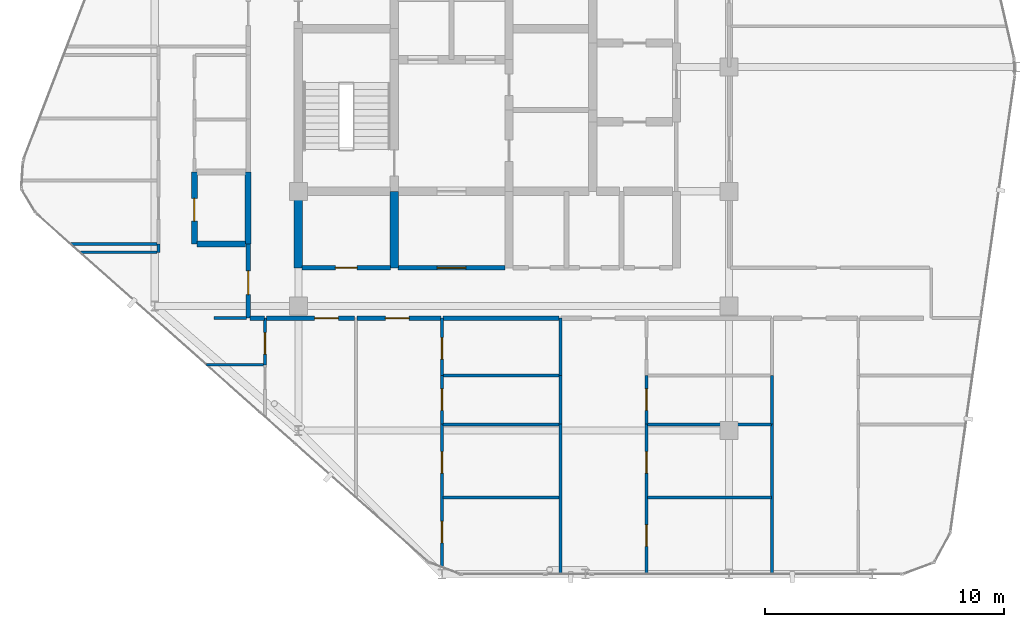
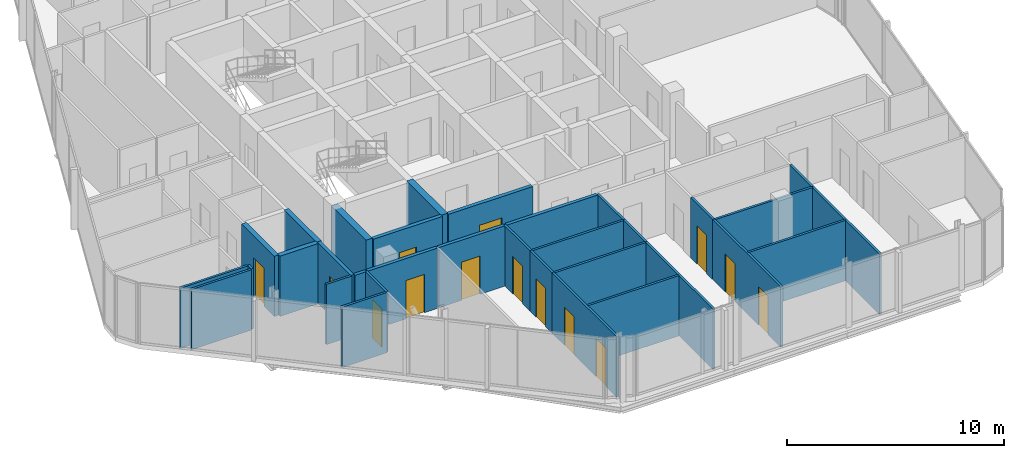
# One storey, part 22 of 28: 33 walls, 14 doors, 14 openings.
"""IFC4 building model written with IfcOpenShell, lengths in metres."""

from ifc_helpers import new_model, si_unit, direction, frame, frame_2d, origin, place, context, subcontext, project, spatial, rectangle, extrude, material, layer, layer_set, type_object, element, fill, save


model = new_model("IFC4")

# Units and contexts
model_context = context("Model", 3, precision=1e-05, world=origin(), true_north=direction((0.0, 1.0)))
body_context = subcontext(model_context, "Body", "Model", "MODEL_VIEW")
ifc_project = project(units=[si_unit("LENGTHUNIT", "METRE"), si_unit("AREAUNIT", "SQUARE_METRE"), si_unit("VOLUMEUNIT", "CUBIC_METRE"), si_unit("PLANEANGLEUNIT", "RADIAN"), si_unit("MASSUNIT", "GRAM", prefix="KILO")], contexts=[model_context])

# Site, building, storey
site_placement = place(None, origin())
site = spatial("IfcSite", under=ifc_project, at=site_placement, CompositionType="ELEMENT")
building_placement = place(site_placement, origin())
building = spatial("IfcBuilding", under=site, at=building_placement, Name="Keshet Zoharim Tower", CompositionType="ELEMENT")
storey_placement = place(building_placement, frame((0.0, 0.0, 258.39990234375)))
storey = spatial("IfcBuildingStorey", under=building, at=storey_placement, Name="L64", CompositionType="ELEMENT", Elevation=258.39990234375)

# Walls
ifc_material_1 = material(Name="Concrete C60/75", Category="concrete")
ifc_layer_1 = layer(ifc_material_1, 0.35009765625)
ifc_layer_set_1 = layer_set([ifc_layer_1], Name="Concrete C60/75")
wall_type_1 = type_object("IfcWallType", Name="WL-CORE-350", PredefinedType="SHEAR", material=ifc_layer_set_1)
for number, where, z_axis, x_axis, name in (
    (1, (15.0, 19.5, 0.0), (0.0, 0.0, 1.0), (0.0, 1.0, 0.0), "L64 Core Shear Wall 020"),
    (2, (19.0, 19.5, 0.0), (0.0, 0.0, 1.0), (0.0, 1.0, 0.0), "L64 Core Shear Wall 027"),
):
    element("IfcWall", number, at=place(storey_placement, frame(where, z_axis=z_axis, x_axis=x_axis)), inside=storey, type_object=wall_type_1, Name=name, PredefinedType="SHEAR", context=body_context, shape_type="SweptSolid", body=[
        extrude(rectangle(XDim=3.199951171875, YDim=0.35009765625, at=frame_2d((1.60009765625, 0.0))), origin(), (0.0, 0.0, 1.0), 3.39013671875),
    ])

# Wall, opening, door
ifc_material_2 = material(Name="Gypsum Plasterboard", Category="gypsum")
ifc_layer_2 = layer(ifc_material_2, 0.179931640625)
ifc_layer_set_2 = layer_set([ifc_layer_2], Name="Gypsum Plasterboard")
wall_type_2 = type_object("IfcWallType", Name="WL-CORR-180", PredefinedType="STANDARD", material=ifc_layer_set_2)
wall_1_placement = place(storey_placement, frame((12.89990234375, 17.39990234375, 0.0), z_axis=(0.0, 0.0, 1.0), x_axis=(0.0, 1.0, 0.0)))
wall_1 = element("IfcWall", 3, at=wall_1_placement, inside=storey, type_object=wall_type_2, Name="L64 Interior Wall 010", PredefinedType="STANDARD", context=body_context, shape_type="SweptSolid", body=[
    extrude(rectangle(XDim=3.10009765625, YDim=0.179931640625, at=frame_2d((1.550048828125, 0.0))), origin(), (0.0, 0.0, 1.0), 3.39013671875),
])
opening_1_placement = place(wall_1_placement, frame((0.97802734375, 0.0, 0.0)))
opening_1 = element("IfcOpeningElement", 4, at=opening_1_placement, cuts=wall_1, Name="Opening D-F310", PredefinedType="OPENING", context=body_context, shape_type="SweptSolid", body=[
    extrude(rectangle(XDim=1.0, YDim=2.14990234375, at=frame_2d((0.5, 1.074951171875))), frame((0.0, 0.10009765625, 0.0), z_axis=(0.0, -1.0, 0.0), x_axis=(1.0, 0.0, 0.0)), (0.0, 0.0, 1.0), 0.199951171875),
])
ifc_material_3 = material(Name="Hardwood Timber", Category="wood")
door_type_1 = type_object("IfcDoorType", Name="DR-FD30-100", OperationType="NOTDEFINED", PredefinedType="DOOR", material=ifc_material_3)
door_1_placement = place(opening_1_placement, origin())
door_1 = element("IfcDoor", 5, at=door_1_placement, inside=storey, type_object=door_type_1, Name="Apartment 6407 Entrance Door", OperationType="SINGLE_SWING_RIGHT", OverallHeight=2.14990234375, OverallWidth=1.0, PredefinedType="DOOR", context=body_context, shape_type="SweptSolid", body=[
    extrude(rectangle(XDim=1.0, YDim=2.14990234375, at=frame_2d((0.5, 1.074951171875))), frame((0.0, 0.02490234375, 0.0), z_axis=(0.0, -1.0, 0.0), x_axis=(1.0, 0.0, 0.0)), (0.0, 0.0, 1.0), 0.050048828125),
])
fill(opening_1, door_1)

# Wall
wall_2_placement = place(storey_placement, frame((12.97509765625, 17.39990234375, 0.0), z_axis=(0.0, 0.0, 1.0), x_axis=(1.0, 0.0, 0.0)))
element("IfcWall", 6, at=wall_2_placement, inside=storey, type_object=wall_type_2, Name="L64 Interior Wall 106", PredefinedType="STANDARD", context=body_context, shape_type="SweptSolid", body=[
    extrude(rectangle(XDim=0.599853515625, YDim=0.179931640625, at=frame_2d((0.2998046875, 0.0))), origin(), (0.0, 0.0, 1.0), 3.39013671875),
])

# Wall, opening, door
wall_3_placement = place(storey_placement, frame((13.6650390625, 17.39990234375, 0.0), z_axis=(0.0, 0.0, 1.0), x_axis=(1.0, 0.0, 0.0)))
wall_3 = element("IfcWall", 7, at=wall_3_placement, inside=storey, type_object=wall_type_2, Name="L64 Interior Wall 107", PredefinedType="STANDARD", context=body_context, shape_type="SweptSolid", body=[
    extrude(rectangle(XDim=3.68994140625, YDim=0.179931640625, at=frame_2d((1.844970703125, 0.0))), origin(), (0.0, 0.0, 1.0), 3.39013671875),
])
opening_2_placement = place(wall_3_placement, frame((2.010009765625, 0.0, 0.0)))
opening_2 = element("IfcOpeningElement", 8, at=opening_2_placement, cuts=wall_3, Name="Opening D-F310", PredefinedType="OPENING", context=body_context, shape_type="SweptSolid", body=[
    extrude(rectangle(XDim=1.0, YDim=2.14990234375, at=frame_2d((0.5, 1.074951171875))), frame((0.0, 0.10009765625, 0.0), z_axis=(0.0, -1.0, 0.0), x_axis=(1.0, 0.0, 0.0)), (0.0, 0.0, 1.0), 0.199951171875),
])
door_2_placement = place(opening_2_placement, origin())
door_2 = element("IfcDoor", 9, at=door_2_placement, inside=storey, type_object=door_type_1, Name="Apartment 6401 Entrance Door", OperationType="SINGLE_SWING_RIGHT", OverallHeight=2.14990234375, OverallWidth=1.0, PredefinedType="DOOR", context=body_context, shape_type="SweptSolid", body=[
    extrude(rectangle(XDim=1.0, YDim=2.14990234375, at=frame_2d((0.5, 1.074951171875))), frame((0.0, 0.02490234375, 0.0), z_axis=(0.0, -1.0, 0.0), x_axis=(1.0, 0.0, 0.0)), (0.0, 0.0, 1.0), 0.050048828125),
])
fill(opening_2, door_2)

wall_4_placement = place(storey_placement, frame((17.445068359375, 17.39990234375, 0.0), z_axis=(0.0, 0.0, 1.0), x_axis=(1.0, 0.0, 0.0)))
wall_4 = element("IfcWall", 10, at=wall_4_placement, inside=storey, type_object=wall_type_2, Name="L64 Interior Wall 108", PredefinedType="STANDARD", context=body_context, shape_type="SweptSolid", body=[
    extrude(rectangle(XDim=3.510009765625, YDim=0.179931640625, at=frame_2d((1.7548828125, 0.0))), origin(), (0.0, 0.0, 1.0), 3.39013671875),
])
opening_3_placement = place(wall_4_placement, frame((1.18505859375, 0.0, 0.0)))
opening_3 = element("IfcOpeningElement", 11, at=opening_3_placement, cuts=wall_4, Name="Opening D-F310", PredefinedType="OPENING", context=body_context, shape_type="SweptSolid", body=[
    extrude(rectangle(XDim=1.0, YDim=2.14990234375, at=frame_2d((0.5, 1.074951171875))), frame((0.0, 0.10009765625, 0.0), z_axis=(0.0, -1.0, 0.0), x_axis=(1.0, 0.0, 0.0)), (0.0, 0.0, 1.0), 0.199951171875),
])
door_3_placement = place(opening_3_placement, origin())
door_3 = element("IfcDoor", 12, at=door_3_placement, inside=storey, type_object=door_type_1, Name="Apartment 6402 Entrance Door", OperationType="SINGLE_SWING_LEFT", OverallHeight=2.14990234375, OverallWidth=1.0, PredefinedType="DOOR", context=body_context, shape_type="SweptSolid", body=[
    extrude(rectangle(XDim=1.0, YDim=2.14990234375, at=frame_2d((0.5, 1.074951171875))), frame((0.0, 0.02490234375, 0.0), z_axis=(0.0, -1.0, 0.0), x_axis=(1.0, 0.0, 0.0)), (0.0, 0.0, 1.0), 0.050048828125),
])
fill(opening_3, door_3)

# Wall
wall_5_placement = place(storey_placement, frame((21.044921875, 17.39990234375, 0.0), z_axis=(0.0, 0.0, 1.0), x_axis=(1.0, 0.0, 0.0)))
element("IfcWall", 13, at=wall_5_placement, inside=storey, type_object=wall_type_2, Name="L64 Interior Wall 109", PredefinedType="STANDARD", context=body_context, shape_type="SweptSolid", body=[
    extrude(rectangle(XDim=4.85009765625, YDim=0.179931640625, at=frame_2d((2.425048828125, 0.0))), origin(), (0.0, 0.0, 1.0), 3.39013671875),
])

# Wall, opening, door
ifc_material_4 = material(Name="Concrete C50/60", Category="concrete")
ifc_layer_3 = layer(ifc_material_4, 0.199951171875)
ifc_layer_set_3 = layer_set([ifc_layer_3], Name="Concrete C50/60")
wall_type_3 = type_object("IfcWallType", Name="WL-FIRE-200", PredefinedType="STANDARD", material=ifc_layer_set_3)
wall_6_placement = place(storey_placement, frame((15.159912109375, 19.5, 0.0), z_axis=(0.0, 0.0, 1.0), x_axis=(1.0, 0.0, 0.0)))
wall_6 = element("IfcWall", 14, at=wall_6_placement, inside=storey, type_object=wall_type_3, Name="L64 Interior Wall 115", PredefinedType="STANDARD", context=body_context, shape_type="SweptSolid", body=[
    extrude(rectangle(XDim=3.68017578125, YDim=0.199951171875, at=frame_2d((1.840087890625, 0.0))), origin(), (0.0, 0.0, 1.0), 3.39013671875),
])
opening_4_placement = place(wall_6_placement, frame((1.389892578125, 0.0, 0.0)))
opening_4 = element("IfcOpeningElement", 15, at=opening_4_placement, cuts=wall_6, Name="Opening D-F690", PredefinedType="OPENING", context=body_context, shape_type="SweptSolid", body=[
    extrude(rectangle(XDim=0.89990234375, YDim=2.14990234375, at=frame_2d((0.449951171875, 1.074951171875))), frame((0.0, 0.10986328125, 0.0), z_axis=(0.0, -1.0, 0.0), x_axis=(1.0, 0.0, 0.0)), (0.0, 0.0, 1.0), 0.219970703125),
])
door_type_2 = type_object("IfcDoorType", Name="DR-FD60-090", OperationType="NOTDEFINED", PredefinedType="DOOR", material=ifc_material_3)
door_4_placement = place(opening_4_placement, origin())
door_4 = element("IfcDoor", 16, at=door_4_placement, inside=storey, type_object=door_type_2, Name="L64 Pram Store Door", OperationType="SINGLE_SWING_RIGHT", OverallHeight=2.14990234375, OverallWidth=0.89990234375, PredefinedType="DOOR", context=body_context, shape_type="SweptSolid", body=[
    extrude(rectangle(XDim=0.89990234375, YDim=2.14990234375, at=frame_2d((0.449951171875, 1.074951171875))), frame((0.0, 0.02490234375, 0.0), z_axis=(0.0, -1.0, 0.0), x_axis=(1.0, 0.0, 0.0)), (0.0, 0.0, 1.0), 0.050048828125),
])
fill(opening_4, door_4)

wall_7_placement = place(storey_placement, frame((19.159912109375, 19.5, 0.0), z_axis=(0.0, 0.0, 1.0), x_axis=(1.0, 0.0, 0.0)))
wall_7 = element("IfcWall", 17, at=wall_7_placement, inside=storey, type_object=wall_type_3, Name="L64 Interior Wall 116", PredefinedType="STANDARD", context=body_context, shape_type="SweptSolid", body=[
    extrude(rectangle(XDim=4.47998046875, YDim=0.199951171875, at=frame_2d((2.239990234375, 0.0))), origin(), (0.0, 0.0, 1.0), 3.39013671875),
])
opening_5_placement = place(wall_7_placement, frame((1.639892578125, 0.0, 0.0)))
opening_5 = element("IfcOpeningElement", 18, at=opening_5_placement, cuts=wall_7, Name="Opening D-F612", PredefinedType="OPENING", context=body_context, shape_type="SweptSolid", body=[
    extrude(rectangle(XDim=1.199951171875, YDim=2.199951171875, at=frame_2d((0.60009765625, 1.10009765625))), frame((0.0, 0.10986328125, 0.0), z_axis=(0.0, -1.0, 0.0), x_axis=(1.0, 0.0, 0.0)), (0.0, 0.0, 1.0), 0.219970703125),
])
door_type_3 = type_object("IfcDoorType", Name="DR-FD60-120", OperationType="NOTDEFINED", PredefinedType="DOOR", material=ifc_material_3)
door_5_placement = place(opening_5_placement, origin())
door_5 = element("IfcDoor", 19, at=door_5_placement, inside=storey, type_object=door_type_3, Name="L64 South Vestibule Corridor Door", OperationType="SINGLE_SWING_LEFT", OverallHeight=2.199951171875, OverallWidth=1.199951171875, PredefinedType="DOOR", context=body_context, shape_type="SweptSolid", body=[
    extrude(rectangle(XDim=1.199951171875, YDim=2.199951171875, at=frame_2d((0.60009765625, 1.10009765625))), frame((0.0, 0.02490234375, 0.0), z_axis=(0.0, -1.0, 0.0), x_axis=(1.0, 0.0, 0.0)), (0.0, 0.0, 1.0), 0.050048828125),
])
fill(opening_5, door_5)

ifc_layer_4 = layer(ifc_material_4, 0.25)
ifc_layer_set_4 = layer_set([ifc_layer_4], Name="Concrete C50/60")
wall_type_4 = type_object("IfcWallType", Name="WL-MAMAD-250", PredefinedType="STANDARD", material=ifc_layer_set_4)
wall_8_placement = place(storey_placement, frame((10.64990234375, 20.5, 0.0), z_axis=(0.0, 0.0, 1.0), x_axis=(0.0, 1.0, 0.0)))
wall_8 = element("IfcWall", 20, at=wall_8_placement, inside=storey, type_object=wall_type_4, Name="L64 Interior Wall 006", PredefinedType="STANDARD", context=body_context, shape_type="SweptSolid", body=[
    extrude(rectangle(XDim=3.001953125, YDim=0.25, at=frame_2d((1.5009765625, 0.0))), origin(), (0.0, 0.0, 1.0), 3.39013671875),
])
opening_6_placement = place(wall_8_placement, frame((0.9560546875, 0.0, 0.0)))
opening_6 = element("IfcOpeningElement", 21, at=opening_6_placement, cuts=wall_8, Name="Opening D-F695", PredefinedType="OPENING", context=body_context, shape_type="SweptSolid", body=[
    extrude(rectangle(XDim=0.949951171875, YDim=2.14990234375, at=frame_2d((0.47509765625, 1.074951171875))), frame((0.0, 0.135009765625, 0.0), z_axis=(0.0, -1.0, 0.0), x_axis=(1.0, 0.0, 0.0)), (0.0, 0.0, 1.0), 0.27001953125),
])
door_type_4 = type_object("IfcDoorType", Name="DR-FD60-095", OperationType="NOTDEFINED", PredefinedType="DOOR", material=ifc_material_3)
door_6_placement = place(opening_6_placement, origin())
door_6 = element("IfcDoor", 22, at=door_6_placement, inside=storey, type_object=door_type_4, Name="Apartment 6407 Study and Shelter Room Door", OperationType="SINGLE_SWING_LEFT", OverallHeight=2.14990234375, OverallWidth=0.949951171875, PredefinedType="DOOR", context=body_context, shape_type="SweptSolid", body=[
    extrude(rectangle(XDim=0.949951171875, YDim=2.14990234375, at=frame_2d((0.47509765625, 1.074951171875))), frame((0.0, 0.02490234375, 0.0), z_axis=(0.0, -1.0, 0.0), x_axis=(1.0, 0.0, 0.0)), (0.0, 0.0, 1.0), 0.050048828125),
])
fill(opening_6, door_6)

# Walls
wall_9_placement = place(storey_placement, frame((12.89990234375, 20.5, 0.0), z_axis=(0.0, 0.0, 1.0), x_axis=(0.0, 1.0, 0.0)))
element("IfcWall", 23, at=wall_9_placement, inside=storey, type_object=wall_type_4, Name="L64 Interior Wall 011", PredefinedType="STANDARD", context=body_context, shape_type="SweptSolid", body=[
    extrude(rectangle(XDim=3.001953125, YDim=0.25, at=frame_2d((1.5009765625, 0.0))), origin(), (0.0, 0.0, 1.0), 3.39013671875),
])
wall_10_placement = place(storey_placement, frame((10.760009765625, 20.5, 0.0), z_axis=(0.0, 0.0, 1.0), x_axis=(1.0, 0.0, 0.0)))
element("IfcWall", 24, at=wall_10_placement, inside=storey, type_object=wall_type_4, Name="L64 Interior Wall 122", PredefinedType="STANDARD", context=body_context, shape_type="SweptSolid", body=[
    extrude(rectangle(XDim=2.030029296875, YDim=0.25, at=frame_2d((1.01513671875, 0.0))), origin(), (0.0, 0.0, 1.0), 3.39013671875),
])
ifc_layer_5 = layer(ifc_material_2, 0.1201171875)
ifc_layer_set_5 = layer_set([ifc_layer_5], Name="Gypsum Plasterboard")
wall_type_5 = type_object("IfcWallType", Name="WL-PART-120", PredefinedType="PARTITIONING", material=ifc_layer_set_5)
wall_11_placement = place(storey_placement, frame((9.14990234375, 20.14990234375, 0.0), z_axis=(0.0, 0.0, 1.0), x_axis=(0.0, 1.0, 0.0)))
element("IfcWall", 25, at=wall_11_placement, inside=storey, type_object=wall_type_5, Name="L64 Interior Wall 002", PredefinedType="PARTITIONING", context=body_context, shape_type="SweptSolid", body=[
    extrude(rectangle(XDim=0.35009765625, YDim=0.1201171875, at=frame_2d((0.175048828125, 0.0))), origin(), (0.0, 0.0, 1.0), 3.39013671875),
])

# Wall, opening, door
wall_12_placement = place(storey_placement, frame((13.60009765625, 15.449951171875, 0.0), z_axis=(0.0, 0.0, 1.0), x_axis=(0.0, 1.0, 0.0)))
wall_12 = element("IfcWall", 26, at=wall_12_placement, inside=storey, type_object=wall_type_5, Name="L64 Interior Wall 018", PredefinedType="PARTITIONING", context=body_context, shape_type="SweptSolid", body=[
    extrude(rectangle(XDim=1.949951171875, YDim=0.1201171875, at=frame_2d((0.97509765625, 0.0))), origin(), (0.0, 0.0, 1.0), 3.39013671875),
])
opening_7_placement = place(wall_12_placement, frame((0.44189453125, 0.0, 0.0)))
opening_7 = element("IfcOpeningElement", 27, at=opening_7_placement, cuts=wall_12, Name="Opening D-IN90", PredefinedType="OPENING", context=body_context, shape_type="SweptSolid", body=[
    extrude(rectangle(XDim=0.89990234375, YDim=2.14990234375, at=frame_2d((0.449951171875, 1.074951171875))), frame((0.0, 0.070068359375, 0.0), z_axis=(0.0, -1.0, 0.0), x_axis=(1.0, 0.0, 0.0)), (0.0, 0.0, 1.0), 0.14013671875),
])
door_type_5 = type_object("IfcDoorType", Name="DR-INT-090", OperationType="NOTDEFINED", PredefinedType="DOOR", material=ifc_material_3)
door_7_placement = place(opening_7_placement, origin())
door_7 = element("IfcDoor", 28, at=door_7_placement, inside=storey, type_object=door_type_5, Name="Apartment 6401 Kitchenette Door", OperationType="SINGLE_SWING_LEFT", OverallHeight=2.14990234375, OverallWidth=0.89990234375, PredefinedType="DOOR", context=body_context, shape_type="SweptSolid", body=[
    extrude(rectangle(XDim=0.89990234375, YDim=2.14990234375, at=frame_2d((0.449951171875, 1.074951171875))), frame((0.0, 0.02490234375, 0.0), z_axis=(0.0, -1.0, 0.0), x_axis=(1.0, 0.0, 0.0)), (0.0, 0.0, 1.0), 0.050048828125),
])
fill(opening_7, door_7)

# Wall, openings, doors
wall_13_placement = place(storey_placement, frame((21.0, 6.9990234375, 0.0), z_axis=(0.0, 0.0, 1.0), x_axis=(0.0, 1.0, 0.0)))
wall_13 = element("IfcWall", 29, at=wall_13_placement, inside=storey, type_object=wall_type_5, Name="L64 Interior Wall 035", PredefinedType="PARTITIONING", context=body_context, shape_type="SweptSolid", body=[
    extrude(rectangle(XDim=5.970947265625, YDim=0.1201171875, at=frame_2d((2.9853515625, 0.0))), origin(), (0.0, 0.0, 1.0), 3.39013671875),
])
opening_8_placement = place(wall_13_placement, frame((1.008056640625, 0.0, 0.0)))
opening_8 = element("IfcOpeningElement", 30, at=opening_8_placement, cuts=wall_13, Name="Opening D-IN90", PredefinedType="OPENING", context=body_context, shape_type="SweptSolid", body=[
    extrude(rectangle(XDim=0.89990234375, YDim=2.14990234375, at=frame_2d((0.449951171875, 1.074951171875))), frame((0.0, 0.070068359375, 0.0), z_axis=(0.0, -1.0, 0.0), x_axis=(1.0, 0.0, 0.0)), (0.0, 0.0, 1.0), 0.14013671875),
])
opening_9_placement = place(wall_13_placement, frame((3.91796875, 0.0, 0.0)))
opening_9 = element("IfcOpeningElement", 31, at=opening_9_placement, cuts=wall_13, Name="Opening D-IN90", PredefinedType="OPENING", context=body_context, shape_type="SweptSolid", body=[
    extrude(rectangle(XDim=0.89990234375, YDim=2.14990234375, at=frame_2d((0.449951171875, 1.074951171875))), frame((0.0, 0.070068359375, 0.0), z_axis=(0.0, -1.0, 0.0), x_axis=(1.0, 0.0, 0.0)), (0.0, 0.0, 1.0), 0.14013671875),
])
door_8_placement = place(opening_8_placement, origin())
door_8 = element("IfcDoor", 32, at=door_8_placement, inside=storey, type_object=door_type_5, Name="Apartment 6402 Bedroom 1 Door", OperationType="SINGLE_SWING_LEFT", OverallHeight=2.14990234375, OverallWidth=0.89990234375, PredefinedType="DOOR", context=body_context, shape_type="SweptSolid", body=[
    extrude(rectangle(XDim=0.89990234375, YDim=2.14990234375, at=frame_2d((0.449951171875, 1.074951171875))), frame((0.0, 0.02490234375, 0.0), z_axis=(0.0, -1.0, 0.0), x_axis=(1.0, 0.0, 0.0)), (0.0, 0.0, 1.0), 0.050048828125),
])
fill(opening_8, door_8)
door_9_placement = place(opening_9_placement, origin())
door_9 = element("IfcDoor", 33, at=door_9_placement, inside=storey, type_object=door_type_5, Name="Apartment 6402 Bedroom 2 Door", OperationType="SINGLE_SWING_RIGHT", OverallHeight=2.14990234375, OverallWidth=0.89990234375, PredefinedType="DOOR", context=body_context, shape_type="SweptSolid", body=[
    extrude(rectangle(XDim=0.89990234375, YDim=2.14990234375, at=frame_2d((0.449951171875, 1.074951171875))), frame((0.0, 0.02490234375, 0.0), z_axis=(0.0, -1.0, 0.0), x_axis=(1.0, 0.0, 0.0)), (0.0, 0.0, 1.0), 0.050048828125),
])
fill(opening_9, door_9)

# Wall, opening, door
wall_14_placement = place(storey_placement, frame((21.0, 12.969970703125, 0.0), z_axis=(0.0, 0.0, 1.0), x_axis=(0.0, 1.0, 0.0)))
wall_14 = element("IfcWall", 34, at=wall_14_placement, inside=storey, type_object=wall_type_5, Name="L64 Interior Wall 036", PredefinedType="PARTITIONING", context=body_context, shape_type="SweptSolid", body=[
    extrude(rectangle(XDim=2.0380859375, YDim=0.1201171875, at=frame_2d((1.01904296875, 0.0))), origin(), (0.0, 0.0, 1.0), 3.39013671875),
])
opening_10_placement = place(wall_14_placement, frame((0.569091796875, 0.0, 0.0)))
opening_10 = element("IfcOpeningElement", 35, at=opening_10_placement, cuts=wall_14, Name="Opening D-IN90", PredefinedType="OPENING", context=body_context, shape_type="SweptSolid", body=[
    extrude(rectangle(XDim=0.89990234375, YDim=2.14990234375, at=frame_2d((0.449951171875, 1.074951171875))), frame((0.0, 0.070068359375, 0.0), z_axis=(0.0, -1.0, 0.0), x_axis=(1.0, 0.0, 0.0)), (0.0, 0.0, 1.0), 0.14013671875),
])
door_10_placement = place(opening_10_placement, origin())
door_10 = element("IfcDoor", 36, at=door_10_placement, inside=storey, type_object=door_type_5, Name="Apartment 6402 Kitchen Door", OperationType="SINGLE_SWING_LEFT", OverallHeight=2.14990234375, OverallWidth=0.89990234375, PredefinedType="DOOR", context=body_context, shape_type="SweptSolid", body=[
    extrude(rectangle(XDim=0.89990234375, YDim=2.14990234375, at=frame_2d((0.449951171875, 1.074951171875))), frame((0.0, 0.02490234375, 0.0), z_axis=(0.0, -1.0, 0.0), x_axis=(1.0, 0.0, 0.0)), (0.0, 0.0, 1.0), 0.050048828125),
])
fill(opening_10, door_10)

# Walls
wall_15_placement = place(storey_placement, frame((25.949951171875, 6.7099609375, 0.0), z_axis=(0.0, 0.0, 1.0), x_axis=(0.0, 1.0, 0.0)))
element("IfcWall", 37, at=wall_15_placement, inside=storey, type_object=wall_type_5, Name="L64 Interior Wall 050", PredefinedType="PARTITIONING", context=body_context, shape_type="SweptSolid", body=[
    extrude(rectangle(XDim=6.260009765625, YDim=0.1201171875, at=frame_2d((3.1298828125, 0.0))), origin(), (0.0, 0.0, 1.0), 3.39013671875),
])
wall_16_placement = place(storey_placement, frame((25.949951171875, 12.969970703125, 0.0), z_axis=(0.0, 0.0, 1.0), x_axis=(0.0, 1.0, 0.0)))
element("IfcWall", 38, at=wall_16_placement, inside=storey, type_object=wall_type_5, Name="L64 Interior Wall 051", PredefinedType="PARTITIONING", context=body_context, shape_type="SweptSolid", body=[
    extrude(rectangle(XDim=2.0380859375, YDim=0.1201171875, at=frame_2d((1.01904296875, 0.0))), origin(), (0.0, 0.0, 1.0), 3.39013671875),
])

# Wall, openings, doors
wall_17_placement = place(storey_placement, frame((29.550048828125, 6.7099609375, 0.0), z_axis=(0.0, 0.0, 1.0), x_axis=(0.0, 1.0, 0.0)))
wall_17 = element("IfcWall", 39, at=wall_17_placement, inside=storey, type_object=wall_type_5, Name="L64 Interior Wall 062", PredefinedType="PARTITIONING", context=body_context, shape_type="SweptSolid", body=[
    extrude(rectangle(XDim=6.260009765625, YDim=0.1201171875, at=frame_2d((3.1298828125, 0.0))), origin(), (0.0, 0.0, 1.0), 3.39013671875),
])
opening_11_placement = place(wall_17_placement, frame((1.153076171875, 0.0, 0.0)))
opening_11 = element("IfcOpeningElement", 40, at=opening_11_placement, cuts=wall_17, Name="Opening D-IN90", PredefinedType="OPENING", context=body_context, shape_type="SweptSolid", body=[
    extrude(rectangle(XDim=0.89990234375, YDim=2.14990234375, at=frame_2d((0.449951171875, 1.074951171875))), frame((0.0, 0.070068359375, 0.0), z_axis=(0.0, -1.0, 0.0), x_axis=(1.0, 0.0, 0.0)), (0.0, 0.0, 1.0), 0.14013671875),
])
opening_12_placement = place(wall_17_placement, frame((4.20703125, 0.0, 0.0)))
opening_12 = element("IfcOpeningElement", 41, at=opening_12_placement, cuts=wall_17, Name="Opening D-IN90", PredefinedType="OPENING", context=body_context, shape_type="SweptSolid", body=[
    extrude(rectangle(XDim=0.89990234375, YDim=2.14990234375, at=frame_2d((0.449951171875, 1.074951171875))), frame((0.0, 0.070068359375, 0.0), z_axis=(0.0, -1.0, 0.0), x_axis=(1.0, 0.0, 0.0)), (0.0, 0.0, 1.0), 0.14013671875),
])
door_11_placement = place(opening_11_placement, origin())
door_11 = element("IfcDoor", 42, at=door_11_placement, inside=storey, type_object=door_type_5, Name="Apartment 6403 Bedroom 1 Door", OperationType="SINGLE_SWING_RIGHT", OverallHeight=2.14990234375, OverallWidth=0.89990234375, PredefinedType="DOOR", context=body_context, shape_type="SweptSolid", body=[
    extrude(rectangle(XDim=0.89990234375, YDim=2.14990234375, at=frame_2d((0.449951171875, 1.074951171875))), frame((0.0, 0.02490234375, 0.0), z_axis=(0.0, -1.0, 0.0), x_axis=(1.0, 0.0, 0.0)), (0.0, 0.0, 1.0), 0.050048828125),
])
fill(opening_11, door_11)
door_12_placement = place(opening_12_placement, origin())
door_12 = element("IfcDoor", 43, at=door_12_placement, inside=storey, type_object=door_type_5, Name="Apartment 6403 Bedroom 2 Door", OperationType="SINGLE_SWING_LEFT", OverallHeight=2.14990234375, OverallWidth=0.89990234375, PredefinedType="DOOR", context=body_context, shape_type="SweptSolid", body=[
    extrude(rectangle(XDim=0.89990234375, YDim=2.14990234375, at=frame_2d((0.449951171875, 1.074951171875))), frame((0.0, 0.02490234375, 0.0), z_axis=(0.0, -1.0, 0.0), x_axis=(1.0, 0.0, 0.0)), (0.0, 0.0, 1.0), 0.050048828125),
])
fill(opening_12, door_12)

# Wall, opening, door
wall_18_placement = place(storey_placement, frame((29.550048828125, 12.969970703125, 0.0), z_axis=(0.0, 0.0, 1.0), x_axis=(0.0, 1.0, 0.0)))
wall_18 = element("IfcWall", 44, at=wall_18_placement, inside=storey, type_object=wall_type_5, Name="L64 Interior Wall 063", PredefinedType="PARTITIONING", context=body_context, shape_type="SweptSolid", body=[
    extrude(rectangle(XDim=2.0380859375, YDim=0.1201171875, at=frame_2d((1.01904296875, 0.0))), origin(), (0.0, 0.0, 1.0), 3.39013671875),
])
opening_13_placement = place(wall_18_placement, frame((0.569091796875, 0.0, 0.0)))
opening_13 = element("IfcOpeningElement", 45, at=opening_13_placement, cuts=wall_18, Name="Opening D-IN90", PredefinedType="OPENING", context=body_context, shape_type="SweptSolid", body=[
    extrude(rectangle(XDim=0.89990234375, YDim=2.14990234375, at=frame_2d((0.449951171875, 1.074951171875))), frame((0.0, 0.070068359375, 0.0), z_axis=(0.0, -1.0, 0.0), x_axis=(1.0, 0.0, 0.0)), (0.0, 0.0, 1.0), 0.14013671875),
])
door_13_placement = place(opening_13_placement, origin())
door_13 = element("IfcDoor", 46, at=door_13_placement, inside=storey, type_object=door_type_5, Name="Apartment 6403 Kitchen Door", OperationType="SINGLE_SWING_RIGHT", OverallHeight=2.14990234375, OverallWidth=0.89990234375, PredefinedType="DOOR", context=body_context, shape_type="SweptSolid", body=[
    extrude(rectangle(XDim=0.89990234375, YDim=2.14990234375, at=frame_2d((0.449951171875, 1.074951171875))), frame((0.0, 0.02490234375, 0.0), z_axis=(0.0, -1.0, 0.0), x_axis=(1.0, 0.0, 0.0)), (0.0, 0.0, 1.0), 0.050048828125),
])
fill(opening_13, door_13)

# Walls
wall_19_placement = place(storey_placement, frame((34.800048828125, 6.7099609375, 0.0), z_axis=(0.0, 0.0, 1.0), x_axis=(0.0, 1.0, 0.0)))
element("IfcWall", 47, at=wall_19_placement, inside=storey, type_object=wall_type_5, Name="L64 Interior Wall 080", PredefinedType="PARTITIONING", context=body_context, shape_type="SweptSolid", body=[
    extrude(rectangle(XDim=6.260009765625, YDim=0.1201171875, at=frame_2d((3.1298828125, 0.0))), origin(), (0.0, 0.0, 1.0), 3.39013671875),
])
wall_20_placement = place(storey_placement, frame((34.800048828125, 12.969970703125, 0.0), z_axis=(0.0, 0.0, 1.0), x_axis=(0.0, 1.0, 0.0)))
element("IfcWall", 48, at=wall_20_placement, inside=storey, type_object=wall_type_5, Name="L64 Interior Wall 081", PredefinedType="PARTITIONING", context=body_context, shape_type="SweptSolid", body=[
    extrude(rectangle(XDim=2.0380859375, YDim=0.1201171875, at=frame_2d((1.01904296875, 0.0))), origin(), (0.0, 0.0, 1.0), 3.39013671875),
])
wall_21_placement = place(storey_placement, frame((21.044921875, 9.89990234375, 0.0), z_axis=(0.0, 0.0, 1.0), x_axis=(1.0, 0.0, 0.0)))
element("IfcWall", 49, at=wall_21_placement, inside=storey, type_object=wall_type_5, Name="L64 Interior Wall 096", PredefinedType="PARTITIONING", context=body_context, shape_type="SweptSolid", body=[
    extrude(rectangle(XDim=4.85009765625, YDim=0.1201171875, at=frame_2d((2.425048828125, 0.0))), origin(), (0.0, 0.0, 1.0), 3.39013671875),
])
wall_22_placement = place(storey_placement, frame((29.5849609375, 9.89990234375, 0.0), z_axis=(0.0, 0.0, 1.0), x_axis=(1.0, 0.0, 0.0)))
element("IfcWall", 50, at=wall_22_placement, inside=storey, type_object=wall_type_5, Name="L64 Interior Wall 097", PredefinedType="PARTITIONING", context=body_context, shape_type="SweptSolid", body=[
    extrude(rectangle(XDim=5.18994140625, YDim=0.1201171875, at=frame_2d((2.594970703125, 0.0))), origin(), (0.0, 0.0, 1.0), 3.39013671875),
])
wall_23_placement = place(storey_placement, frame((21.044921875, 12.949951171875, 0.0), z_axis=(0.0, 0.0, 1.0), x_axis=(1.0, 0.0, 0.0)))
element("IfcWall", 51, at=wall_23_placement, inside=storey, type_object=wall_type_5, Name="L64 Interior Wall 098", PredefinedType="PARTITIONING", context=body_context, shape_type="SweptSolid", body=[
    extrude(rectangle(XDim=4.85009765625, YDim=0.1201171875, at=frame_2d((2.425048828125, 0.0))), origin(), (0.0, 0.0, 1.0), 3.39013671875),
])
wall_24_placement = place(storey_placement, frame((29.5849609375, 12.949951171875, 0.0), z_axis=(0.0, 0.0, 1.0), x_axis=(1.0, 0.0, 0.0)))
element("IfcWall", 52, at=wall_24_placement, inside=storey, type_object=wall_type_5, Name="L64 Interior Wall 099", PredefinedType="PARTITIONING", context=body_context, shape_type="SweptSolid", body=[
    extrude(rectangle(XDim=5.18994140625, YDim=0.1201171875, at=frame_2d((2.594970703125, 0.0))), origin(), (0.0, 0.0, 1.0), 3.39013671875),
])
wall_25_placement = place(storey_placement, frame((11.469970703125, 17.39990234375, 0.0), z_axis=(0.0, 0.0, 1.0), x_axis=(1.0, 0.0, 0.0)))
element("IfcWall", 53, at=wall_25_placement, inside=storey, type_object=wall_type_5, Name="L64 Interior Wall 105", PredefinedType="PARTITIONING", context=body_context, shape_type="SweptSolid", body=[
    extrude(rectangle(XDim=1.35498046875, YDim=0.1201171875, at=frame_2d((0.677490234375, 0.0))), origin(), (0.0, 0.0, 1.0), 3.39013671875),
])
wall_26_placement = place(storey_placement, frame((5.87890625, 20.14990234375, 0.0), z_axis=(0.0, 0.0, 1.0), x_axis=(1.0, 0.0, 0.0)))
element("IfcWall", 54, at=wall_26_placement, inside=storey, type_object=wall_type_5, Name="L64 Interior Wall 120", PredefinedType="PARTITIONING", context=body_context, shape_type="SweptSolid", body=[
    extrude(rectangle(XDim=3.2060546875, YDim=0.1201171875, at=frame_2d((1.60302734375, 0.0))), origin(), (0.0, 0.0, 1.0), 3.39013671875),
])
wall_27_placement = place(storey_placement, frame((5.485107421875, 20.5, 0.0), z_axis=(0.0, 0.0, 1.0), x_axis=(1.0, 0.0, 0.0)))
element("IfcWall", 55, at=wall_27_placement, inside=storey, type_object=wall_type_5, Name="L64 Interior Wall 121", PredefinedType="PARTITIONING", context=body_context, shape_type="SweptSolid", body=[
    extrude(rectangle(XDim=3.599853515625, YDim=0.1201171875, at=frame_2d((1.7998046875, 0.0))), origin(), (0.0, 0.0, 1.0), 3.39013671875),
])

# Wall, opening, door
ifc_layer_6 = layer(ifc_material_2, 0.1201171875)
ifc_layer_set_6 = layer_set([ifc_layer_6], Name="Gypsum Plasterboard")
wall_type_6 = type_object("IfcWallType", Name="WL-WET-120", PredefinedType="PARTITIONING", material=ifc_layer_set_6)
wall_28_placement = place(storey_placement, frame((21.0, 15.008056640625, 0.0), z_axis=(0.0, 0.0, 1.0), x_axis=(0.0, 1.0, 0.0)))
wall_28 = element("IfcWall", 56, at=wall_28_placement, inside=storey, type_object=wall_type_6, Name="L64 Interior Wall 037", PredefinedType="PARTITIONING", context=body_context, shape_type="SweptSolid", body=[
    extrude(rectangle(XDim=2.391845703125, YDim=0.1201171875, at=frame_2d((1.19580078125, 0.0))), origin(), (0.0, 0.0, 1.0), 3.39013671875),
])
opening_14_placement = place(wall_28_placement, frame((0.675048828125, 0.0, 0.0)))
opening_14 = element("IfcOpeningElement", 57, at=opening_14_placement, cuts=wall_28, Name="Opening D-WT90", PredefinedType="OPENING", context=body_context, shape_type="SweptSolid", body=[
    extrude(rectangle(XDim=0.89990234375, YDim=2.10009765625, at=frame_2d((0.449951171875, 1.050048828125))), frame((0.0, 0.070068359375, 0.0), z_axis=(0.0, -1.0, 0.0), x_axis=(1.0, 0.0, 0.0)), (0.0, 0.0, 1.0), 0.14013671875),
])
door_type_6 = type_object("IfcDoorType", Name="DR-WET-090", OperationType="NOTDEFINED", PredefinedType="DOOR", material=ifc_material_3)
door_14_placement = place(opening_14_placement, origin())
door_14 = element("IfcDoor", 58, at=door_14_placement, inside=storey, type_object=door_type_6, Name="Apartment 6402 Bathroom Door", OperationType="SINGLE_SWING_RIGHT", OverallHeight=2.10009765625, OverallWidth=0.89990234375, PredefinedType="DOOR", context=body_context, shape_type="SweptSolid", body=[
    extrude(rectangle(XDim=0.89990234375, YDim=2.10009765625, at=frame_2d((0.449951171875, 1.050048828125))), frame((0.0, 0.02490234375, 0.0), z_axis=(0.0, -1.0, 0.0), x_axis=(1.0, 0.0, 0.0)), (0.0, 0.0, 1.0), 0.050048828125),
])
fill(opening_14, door_14)

# Walls
wall_29_placement = place(storey_placement, frame((25.949951171875, 15.008056640625, 0.0), z_axis=(0.0, 0.0, 1.0), x_axis=(0.0, 1.0, 0.0)))
element("IfcWall", 59, at=wall_29_placement, inside=storey, type_object=wall_type_6, Name="L64 Interior Wall 052", PredefinedType="PARTITIONING", context=body_context, shape_type="SweptSolid", body=[
    extrude(rectangle(XDim=2.391845703125, YDim=0.1201171875, at=frame_2d((1.19580078125, 0.0))), origin(), (0.0, 0.0, 1.0), 3.39013671875),
])
wall_30_placement = place(storey_placement, frame((21.044921875, 15.0, 0.0), z_axis=(0.0, 0.0, 1.0), x_axis=(1.0, 0.0, 0.0)))
element("IfcWall", 60, at=wall_30_placement, inside=storey, type_object=wall_type_6, Name="L64 Interior Wall 101", PredefinedType="PARTITIONING", context=body_context, shape_type="SweptSolid", body=[
    extrude(rectangle(XDim=4.85009765625, YDim=0.1201171875, at=frame_2d((2.425048828125, 0.0))), origin(), (0.0, 0.0, 1.0), 3.39013671875),
])
wall_31_placement = place(storey_placement, frame((11.166015625, 15.449951171875, 0.0), z_axis=(0.0, 0.0, 1.0), x_axis=(1.0, 0.0, 0.0)))
element("IfcWall", 61, at=wall_31_placement, inside=storey, type_object=wall_type_6, Name="L64 Interior Wall 104", PredefinedType="PARTITIONING", context=body_context, shape_type="SweptSolid", body=[
    extrude(rectangle(XDim=2.408935546875, YDim=0.1201171875, at=frame_2d((1.20458984375, 0.0))), origin(), (0.0, 0.0, 1.0), 3.39013671875),
])

save(model, "model.ifc")
